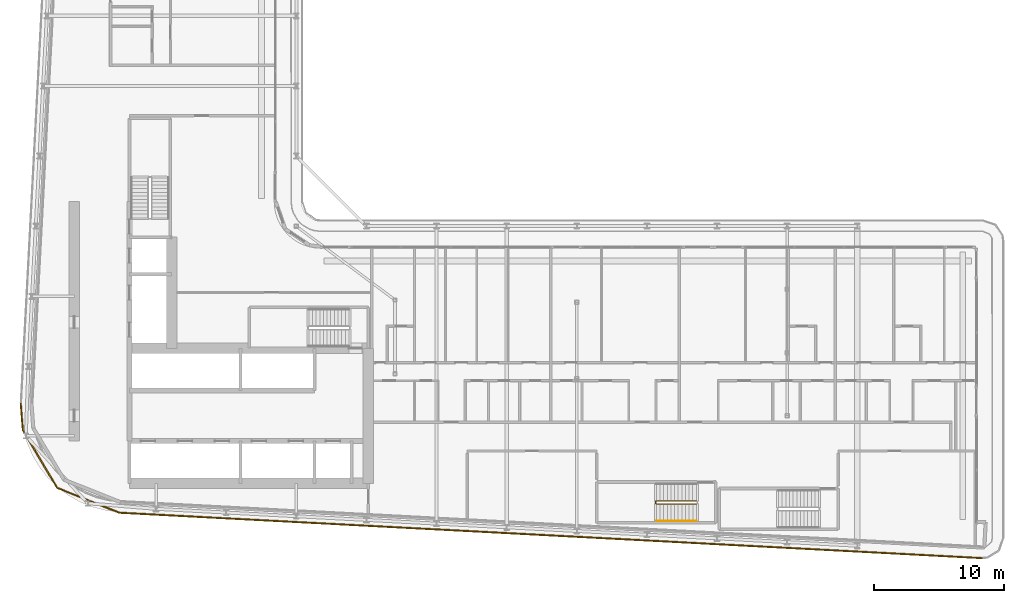
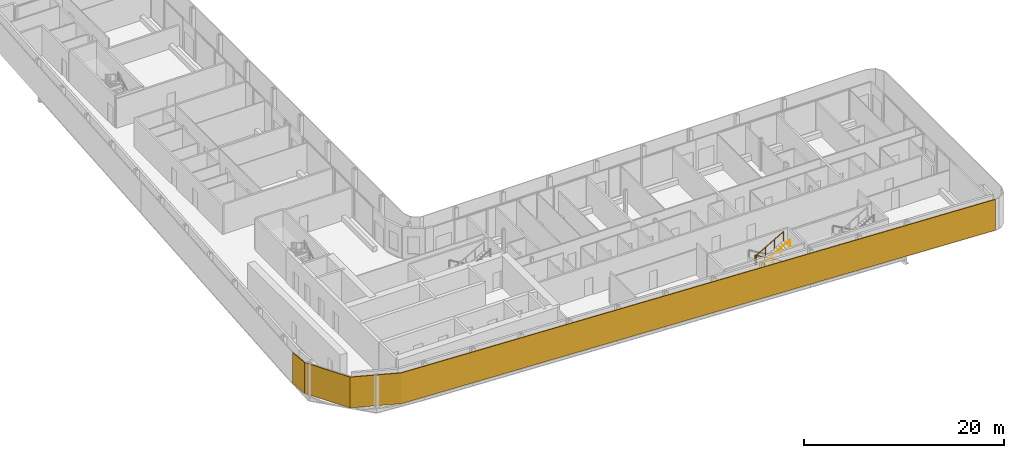
# One storey, part 26 of 30: 2 railings, 1 shading device.
"""IFC4 building model written with IfcOpenShell, lengths in metres."""

from ifc_helpers import new_model, si_unit, direction, frame, origin, origin_2d, place, context, subcontext, project, spatial, polyline, circle, outline, extrude, material, layer, layer_set, type_object, element, save


model = new_model("IFC4")

# Units and contexts
model_context = context("Model", 3, precision=1e-05, world=origin(), true_north=direction((0.0, 1.0)))
body_context = subcontext(model_context, "Body", "Model", "MODEL_VIEW")
ifc_project = project(units=[si_unit("LENGTHUNIT", "METRE"), si_unit("AREAUNIT", "SQUARE_METRE"), si_unit("VOLUMEUNIT", "CUBIC_METRE"), si_unit("PLANEANGLEUNIT", "RADIAN"), si_unit("MASSUNIT", "GRAM", prefix="KILO")], contexts=[model_context])

# Site, building, storey
site_placement = place(None, origin())
site = spatial("IfcSite", under=ifc_project, at=site_placement, CompositionType="ELEMENT")
building_placement = place(site_placement, origin())
building = spatial("IfcBuilding", under=site, at=building_placement, Name="Kheshtan School and Residences Tower", CompositionType="ELEMENT")
storey_placement = place(building_placement, frame((0.0, 0.0, 195.5)))
storey = spatial("IfcBuildingStorey", under=building, at=storey_placement, Name="L46", CompositionType="ELEMENT", Elevation=195.5)

# Shading device
ifc_material_1 = material(Name="Terracotta baguette, extruded ceramic", Category="masonry")
ifc_layer = layer(ifc_material_1, 0.10009765625)
ifc_layer_set = layer_set([ifc_layer], Name="Ledge screen, terracotta baguettes")
shading_device_type = type_object("IfcShadingDeviceType", Name="Ledge screen, terracotta baguettes", PredefinedType="USERDEFINED", material=ifc_layer_set)
shading_device_placement = place(storey_placement, origin())
element("IfcShadingDevice", 1, at=shading_device_placement, inside=storey, type_object=shading_device_type, Name="Screen L46 3", ObjectType="BAGUETTE", PredefinedType="USERDEFINED", context=body_context, shape_type="SweptSolid", body=[
    extrude(outline(polyline([(100.4208984375, 20.0830078125), (33.989013671875, 23.580078125), (29.2119140625, 25.486083984375), (26.583984375, 29.906982421875), (26.419921875, 31.989013671875), (26.320068359375, 31.98095703125), (26.486083984375, 29.8759765625), (29.14306640625, 25.406005859375), (33.967041015625, 23.48095703125), (100.416015625, 19.98291015625), (100.4208984375, 20.0830078125)])), origin(), (0.0, 0.0, 1.0), 3.75),
])

# Railings
ifc_material_2 = material(Name="Stainless steel balustrade", Category="steel")
railing_type_1 = type_object("IfcRailingType", Name="Stair guard 1100", PredefinedType="GUARDRAIL", material=ifc_material_2)
railing_1_placement = place(storey_placement, frame((78.409912109375, 24.449951171875, 0.16259765625)))
element("IfcRailing", 2, at=railing_1_placement, inside=storey, type_object=railing_type_1, Name="L46 ST5 stair guard 1", PredefinedType="GUARDRAIL", context=body_context, shape_type="SweptSolid", body=[
    extrude(circle(Radius=0.02392578125, at=origin_2d()), frame((0.0, 0.0, 1.076171875), z_axis=(-0.864903211148, 0.0, 0.501938676878), x_axis=(0.0, -1.0, 0.0)), (0.0, 0.0, 1.0), 3.560791015625),
    extrude(circle(Radius=0.02392578125, at=origin_2d()), frame((-3.079833984375, 0.0, 2.86328125), z_axis=(-0.707106781187, -0.707106781187, 0.0), x_axis=(0.707106781187, -0.707106781187, 0.0)), (0.0, 0.0, 1.0), 0.07080078125),
    extrude(circle(Radius=0.02392578125, at=origin_2d()), frame((-3.1298828125, -0.050048828125, 2.86328125), z_axis=(0.0, -1.0, 0.0), x_axis=(1.0, 0.0, 0.0)), (0.0, 0.0, 1.0), 0.14990234375),
    extrude(circle(Radius=0.02392578125, at=origin_2d()), frame((-3.1298828125, -0.199951171875, 2.86328125), z_axis=(0.282227285176, -0.282227285176, 0.916894497205), x_axis=(0.707106781187, 0.707106781187, 0.0)), (0.0, 0.0, 1.0), 0.17724609375),
    extrude(circle(Radius=0.02392578125, at=origin_2d()), frame((-3.079833984375, -0.25, 3.02587890625), z_axis=(0.864903211148, 0.0, 0.501938676878), x_axis=(0.0, 1.0, 0.0)), (0.0, 0.0, 1.0), 3.560791015625),
    extrude(circle(Radius=0.02099609375, at=origin_2d()), origin(), (0.0, 0.0, 1.0), 1.052001953125),
    extrude(circle(Radius=0.02099609375, at=origin_2d()), frame((-1.026611328125, 0.0, 0.595703125)), (0.0, 0.0, 1.0), 1.052001953125),
    extrude(circle(Radius=0.02099609375, at=origin_2d()), frame((-2.05322265625, 0.0, 1.191650390625)), (0.0, 0.0, 1.0), 1.052001953125),
    extrude(circle(Radius=0.02099609375, at=origin_2d()), frame((-3.079833984375, 0.0, 1.787353515625)), (0.0, 0.0, 1.0), 1.052001953125),
    extrude(circle(Radius=0.02099609375, at=origin_2d()), frame((-3.1298828125, -0.050048828125, 1.787353515625)), (0.0, 0.0, 1.0), 1.052001953125),
    extrude(circle(Radius=0.02099609375, at=origin_2d()), frame((-3.1298828125, -0.199951171875, 1.787353515625)), (0.0, 0.0, 1.0), 1.052001953125),
    extrude(circle(Radius=0.02099609375, at=origin_2d()), frame((-3.079833984375, -0.25, 1.949951171875)), (0.0, 0.0, 1.0), 1.052001953125),
    extrude(circle(Radius=0.02099609375, at=origin_2d()), frame((-2.05322265625, -0.25, 2.545654296875)), (0.0, 0.0, 1.0), 1.052001953125),
    extrude(circle(Radius=0.02099609375, at=origin_2d()), frame((-1.026611328125, -0.25, 3.1416015625)), (0.0, 0.0, 1.0), 1.052001953125),
    extrude(circle(Radius=0.02099609375, at=origin_2d()), frame((0.0, -0.25, 3.7373046875)), (0.0, 0.0, 1.0), 1.052001953125),
])
ifc_material_3 = material(Name="Stainless steel handrail", Category="steel")
railing_type_2 = type_object("IfcRailingType", Name="Stair handrail 900", PredefinedType="HANDRAIL", material=ifc_material_3)
railing_2_placement = place(storey_placement, frame((75.330078125, 22.89990234375, 2.112548828125)))
element("IfcRailing", 3, at=railing_2_placement, inside=storey, type_object=railing_type_2, Name="L46 ST5 stair handrail 2", PredefinedType="HANDRAIL", context=body_context, shape_type="SweptSolid", body=[
    extrude(circle(Radius=0.02392578125, at=origin_2d()), frame((0.0, 0.0, 0.8759765625), z_axis=(0.864903211148, 0.0, 0.501938676878), x_axis=(0.0, 1.0, 0.0)), (0.0, 0.0, 1.0), 3.560791015625),
    extrude(circle(Radius=0.02099609375, at=origin_2d()), origin(), (0.0, 0.0, 1.0), 0.851806640625),
    extrude(circle(Radius=0.02099609375, at=origin_2d()), frame((1.026611328125, 0.0, 0.595703125)), (0.0, 0.0, 1.0), 0.851806640625),
    extrude(circle(Radius=0.02099609375, at=origin_2d()), frame((2.05322265625, 0.0, 1.191650390625)), (0.0, 0.0, 1.0), 0.851806640625),
    extrude(circle(Radius=0.02099609375, at=origin_2d()), frame((3.079833984375, 0.0, 1.787353515625)), (0.0, 0.0, 1.0), 0.851806640625),
])

save(model, "model.ifc")
